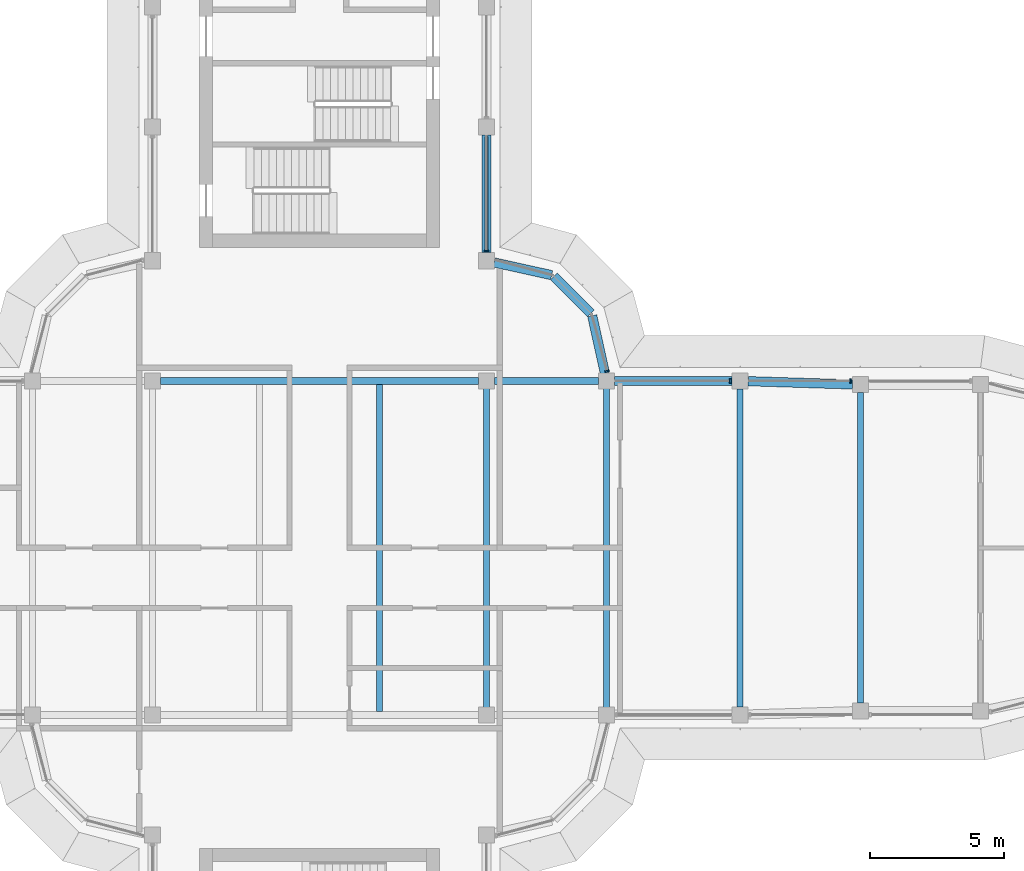
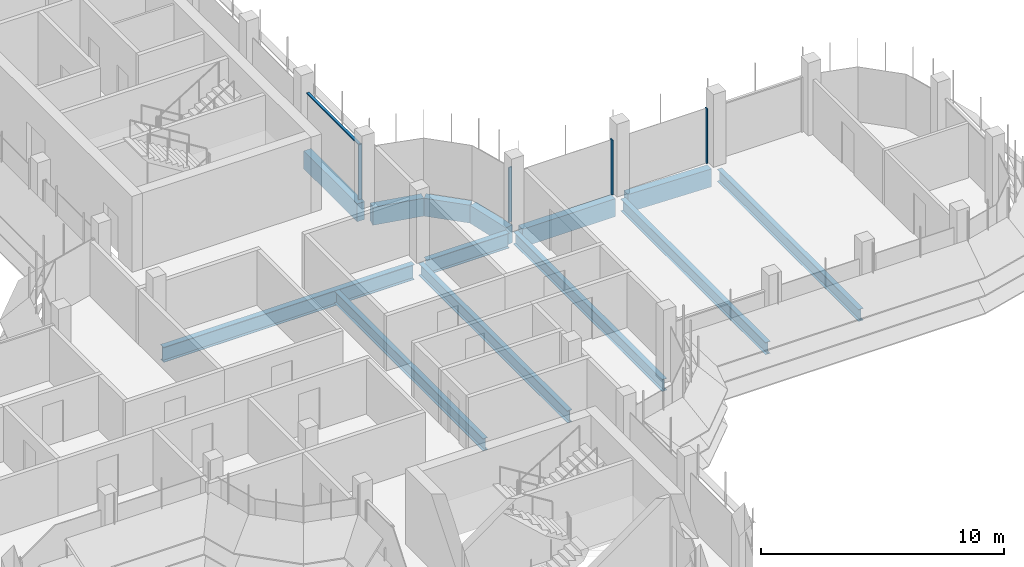
# One storey, part 8 of 19: 13 beams, 5 members, 3 elements without a shape of their own.
"""IFC4 building model written with IfcOpenShell, lengths in metres."""

import ifcopenshell
import ifcopenshell.guid

model = None  # the IFC model being written
_history = None  # IfcOwnerHistory: only IFC2X3 demands one
_inside = {}  # id of a spatial element -> (the spatial element, [elements in it])
_under = {}  # id of a project, library or spatial element -> (it, [spatial elements below it])
_declared = {}  # id of a project -> (the project, [libraries it declares])
_typed = {}  # id of a type object -> (the type object, [elements of that type])
_made_of = {}  # id of a material, layer set ... -> (it, [elements and type objects made of it])


def new_model(schema):
    """Start an empty IFC model of exactly this schema.

    Asked for "IFC4X3", IfcOpenShell would pick the latest addendum, in which some entities
    have other attributes; the version numbers below select the first issue.
    IFC2X3 requires an IfcOwnerHistory on every rooted entity: one is made here for all.
    """
    global model, _history
    if schema == "IFC4X3":
        model = ifcopenshell.file(schema_version=(4, 3, 0, 0))
    else:
        model = ifcopenshell.file(schema=schema)
    _inside.clear()
    _under.clear()
    _declared.clear()
    _typed.clear()
    _made_of.clear()
    _history = None
    if model.schema == "IFC2X3":
        org = make("IfcOrganization", Name="unknown")
        user = make(
            "IfcPersonAndOrganization",
            ThePerson=make("IfcPerson", FamilyName="unknown"),
            TheOrganization=org,
        )
        app = make(
            "IfcApplication",
            ApplicationDeveloper=org,
            Version="unknown",
            ApplicationFullName="unknown",
            ApplicationIdentifier="unknown",
        )
        _history = make(
            "IfcOwnerHistory",
            OwningUser=user,
            OwningApplication=app,
            ChangeAction="ADDED",
            CreationDate=0,
        )
    return model


def make(cls, **values):
    """One entity of the class cls with the attributes given. An attribute that is None is left unset."""
    return model.create_entity(
        cls, **{name: value for name, value in values.items() if value is not None}
    )


def rooted(cls, **values):
    """An entity with a GlobalId (a new one), such as an element, a storey or a relation."""
    return make(cls, GlobalId=ifcopenshell.guid.new(), OwnerHistory=_history, **values)


def si_unit(unit_type, name, prefix=None):
    """IfcSIUnit, for example si_unit("LENGTHUNIT", "METRE", prefix="MILLI")."""
    return make("IfcSIUnit", UnitType=unit_type, Prefix=prefix, Name=name)


def assignment(units):
    """IfcUnitAssignment: the units of a project."""
    return None if units is None else make("IfcUnitAssignment", Units=units)


def point(xyz):
    """IfcCartesianPoint."""
    return None if xyz is None else make("IfcCartesianPoint", Coordinates=xyz)


def direction(xyz):
    """IfcDirection."""
    return None if xyz is None else make("IfcDirection", DirectionRatios=xyz)


def frame(location, z_axis=None, x_axis=None):
    """IfcAxis2Placement3D, a coordinate frame: its origin and axes. An axis left out is left unset."""
    return make(
        "IfcAxis2Placement3D",
        Location=point(location),
        Axis=direction(z_axis),
        RefDirection=direction(x_axis),
    )


def frame_2d(location, x_axis=None):
    """IfcAxis2Placement2D, a coordinate frame in the plane: its origin and x axis."""
    return make(
        "IfcAxis2Placement2D", Location=point(location), RefDirection=direction(x_axis)
    )


def origin():
    """The frame at (0, 0, 0) with its axes left unset."""
    return frame((0.0, 0.0, 0.0))


def origin_2d():
    """The frame at (0, 0) in the plane with its x axis left unset."""
    return frame_2d((0.0, 0.0))


def place(relative_to, where):
    """IfcLocalPlacement: puts the frame where relative to a parent placement (None: the world)."""
    return make(
        "IfcLocalPlacement", PlacementRelTo=relative_to, RelativePlacement=where
    )


def context(
    kind, dimensions, precision=None, world=None, true_north=None, identifier=None
):
    """IfcGeometricRepresentationContext, for example the 3D "Model" context."""
    return make(
        "IfcGeometricRepresentationContext",
        ContextIdentifier=identifier,
        ContextType=kind,
        CoordinateSpaceDimension=dimensions,
        Precision=precision,
        WorldCoordinateSystem=world,
        TrueNorth=true_north,
    )


def subcontext(parent, identifier, kind, view, scale=None):
    """IfcGeometricRepresentationSubContext, for example "Body" below "Model"."""
    return make(
        "IfcGeometricRepresentationSubContext",
        ContextIdentifier=identifier,
        ContextType=kind,
        ParentContext=parent,
        TargetScale=scale,
        TargetView=view,
    )


def project(units=None, contexts=None):
    """IfcProject with its units and contexts."""
    return rooted(
        "IfcProject",
        Name="project",
        RepresentationContexts=contexts,
        UnitsInContext=assignment(units),
    )


def spatial(cls, under=None, at=None, **own):
    """A site, building, storey or space (cls), placed at a placement, below another one or the project."""
    s = rooted(cls, ObjectPlacement=at, **own)
    if under is not None:
        _under.setdefault(under.id(), (under, []))[1].append(s)
    return s


def polyline(points):
    """IfcPolyline through the points."""
    return make("IfcPolyline", Points=[point(p) for p in points])


def profile(cls, at=None, kind="AREA", **sizes):
    """A parametric profile (cls). Its sizes go by their IFC names, for example OverallWidth=200.0."""
    return make(cls, ProfileType=kind, Position=at, **sizes)


def rectangle(**sizes):
    """IfcRectangleProfileDef."""
    return profile("IfcRectangleProfileDef", **sizes)


def i_section(**sizes):
    """IfcIShapeProfileDef."""
    return profile("IfcIShapeProfileDef", **sizes)


def outline(outer, holes=None, kind="AREA"):
    """IfcArbitraryClosedProfileDef: a profile drawn as a closed curve; with holes, ...WithVoids."""
    if holes is None:
        return make("IfcArbitraryClosedProfileDef", ProfileType=kind, OuterCurve=outer)
    return make(
        "IfcArbitraryProfileDefWithVoids",
        ProfileType=kind,
        OuterCurve=outer,
        InnerCurves=holes,
    )


def extrude(swept, where, along, depth):
    """IfcExtrudedAreaSolid: the profile swept, set in the frame where, extruded along a direction by depth."""
    return make(
        "IfcExtrudedAreaSolid",
        SweptArea=swept,
        Position=where,
        ExtrudedDirection=direction(along),
        Depth=depth,
    )


def shape(context_of_items, identifier, shape_type, items):
    """IfcShapeRepresentation: the items that make up one representation, for example the "Body"."""
    return make(
        "IfcShapeRepresentation",
        ContextOfItems=context_of_items,
        RepresentationIdentifier=identifier,
        RepresentationType=shape_type,
        Items=items,
    )


def source(mapping_origin, context_of_items, identifier, shape_type, items):
    """IfcRepresentationMap: a shape defined once, which mapped items show again and again."""
    return make(
        "IfcRepresentationMap",
        MappingOrigin=mapping_origin,
        MappedRepresentation=shape(context_of_items, identifier, shape_type, items),
    )


def transform(
    local_origin,
    x_axis=None,
    y_axis=None,
    z_axis=None,
    scale=None,
    scale2=None,
    scale3=None,
    uniform=True,
):
    """IfcCartesianTransformationOperator3D, or its non-uniform kind. x_axis, y_axis, z_axis: its Axis1, 2, 3."""
    if uniform:
        return make(
            "IfcCartesianTransformationOperator3D",
            Axis1=direction(x_axis),
            Axis2=direction(y_axis),
            LocalOrigin=point(local_origin),
            Scale=scale,
            Axis3=direction(z_axis),
        )
    return make(
        "IfcCartesianTransformationOperator3DnonUniform",
        Axis1=direction(x_axis),
        Axis2=direction(y_axis),
        LocalOrigin=point(local_origin),
        Scale=scale,
        Axis3=direction(z_axis),
        Scale2=scale2,
        Scale3=scale3,
    )


def mapped(mapping_source, mapping_target):
    """IfcMappedItem: shows the shape of a source again, moved by a transform."""
    return make(
        "IfcMappedItem", MappingSource=mapping_source, MappingTarget=mapping_target
    )


def material(Name=None, Category=None):
    """IfcMaterial."""
    return make("IfcMaterial", Name=Name, Category=Category)


def material_profile(
    of_material, cross_section, Name=None, Category=None, Priority=None
):
    """IfcMaterialProfile: a cross section and its material."""
    return make(
        "IfcMaterialProfile",
        Name=Name,
        Material=of_material,
        Profile=cross_section,
        Priority=Priority,
        Category=Category,
    )


def profile_set(profiles, Name=None, composite=None):
    """IfcMaterialProfileSet."""
    return make(
        "IfcMaterialProfileSet",
        Name=Name,
        MaterialProfiles=profiles,
        CompositeProfile=composite,
    )


def made_of(thing, what):
    """Note that an element or type object is made of a material, layer set ...; save() writes the relation."""
    if what is not None:
        _made_of.setdefault(what.id(), (what, []))[1].append(thing)
    return thing


def type_object(cls, material=None, **own):
    """A type object (cls), such as IfcWallType, which elements share."""
    return made_of(rooted(cls, **own), material)


def element(
    cls,
    number,
    at=None,
    inside=None,
    cuts=None,
    type_object=None,
    material=None,
    context=None,
    identifier="Body",
    shape_type=None,
    held_by="IfcProductDefinitionShape",
    body=None,
    shapes=None,
    **own,
):
    """One element of the class cls, such as IfcWall. Its Tag is "e" and its number.

    at: its placement. inside: the storey or other place that contains it. cuts: it is an
    opening in that element (IfcRelVoidsElement). A single representation is given by context,
    identifier, shape_type and body (its items); several are given by shapes. held_by: the class
    of the entity that holds the representations. save() writes the other relations.
    """
    e = rooted(cls, Tag="e%d" % number, ObjectPlacement=at, **own)
    if body is not None:
        shapes = [shape(context, identifier, shape_type, body)]
    if shapes is not None:
        e.Representation = make(held_by, Representations=shapes)
    if inside is not None:
        _inside.setdefault(inside.id(), (inside, []))[1].append(e)
    if cuts is not None:
        rooted(
            "IfcRelVoidsElement", RelatingBuildingElement=cuts, RelatedOpeningElement=e
        )
    if type_object is not None:
        _typed.setdefault(type_object.id(), (type_object, []))[1].append(e)
    return made_of(e, material)


def aggregate(whole, parts):
    """IfcRelAggregates: a whole, such as a stair, and the parts it consists of."""
    return rooted("IfcRelAggregates", RelatingObject=whole, RelatedObjects=parts)


def save(model, path):
    """Write the relations noted so far, then the file.

    IfcRelAggregates (storeys below a building ...), IfcRelContainedInSpatialStructure (elements
    in a storey), IfcRelDefinesByType, IfcRelAssociatesMaterial and IfcRelDeclares: one each for
    every whole, place, type object, material and project.
    """
    for whole, parts in _under.values():
        aggregate(whole, parts)
    for where, things in _inside.values():
        rooted(
            "IfcRelContainedInSpatialStructure",
            RelatedElements=things,
            RelatingStructure=where,
        )
    for kind, things in _typed.values():
        rooted("IfcRelDefinesByType", RelatedObjects=things, RelatingType=kind)
    for what, things in _made_of.values():
        rooted("IfcRelAssociatesMaterial", RelatedObjects=things, RelatingMaterial=what)
    for by, libraries in _declared.values():
        rooted("IfcRelDeclares", RelatingContext=by, RelatedDefinitions=libraries)
    model.write(path)


model = new_model("IFC4")

# Units and contexts
model_context = context("Model", 3, precision=1e-05, world=origin(), true_north=direction((0.0, 1.0)))
body_context = subcontext(model_context, "Body", "Model", "MODEL_VIEW")
ifc_project = project(units=[si_unit("LENGTHUNIT", "METRE"), si_unit("AREAUNIT", "SQUARE_METRE"), si_unit("VOLUMEUNIT", "CUBIC_METRE"), si_unit("PLANEANGLEUNIT", "RADIAN"), si_unit("MASSUNIT", "GRAM", prefix="KILO")], contexts=[model_context])

# Site, building, storey
site_placement = place(None, origin())
site = spatial("IfcSite", under=ifc_project, at=site_placement, CompositionType="ELEMENT")
building_placement = place(site_placement, origin())
building = spatial("IfcBuilding", under=site, at=building_placement, Name="Zarbagh Exchange Tower", CompositionType="ELEMENT")
storey_placement = place(building_placement, frame((0.0, 0.0, 276.39990234375)))
storey = spatial("IfcBuildingStorey", under=building, at=storey_placement, Name="L68", CompositionType="ELEMENT", Elevation=276.39990234375)

# Beams
ifc_material_1 = material(Name="Steel ASTM A992 Gr 50", Category="steel")
ifc_material_profile_1 = material_profile(ifc_material_1, i_section(OverallWidth=0.228271484375, OverallDepth=0.607177734375, WebThickness=0.01123046875, FlangeThickness=0.017333984375, at=origin_2d()), Name="W24X76")
ifc_profile_set_1 = profile_set([ifc_material_profile_1], Name="Steel ASTM A992 Gr 50")
beam_type_1 = type_object("IfcBeamType", Name="Floor beam W24X76", PredefinedType="BEAM", material=ifc_profile_set_1)
for number, where, z_axis, x_axis, name in (
    (1, (2.25, -6.11669921875, -0.453369140625), (0.0, 1.0, 0.0), (-1.0, 0.0, 0.0), "Steel floor beam"),
    (2, (6.25, -6.11669921875, -0.453369140625), (0.0, 1.0, 0.0), (-1.0, 0.0, 0.0), "Steel floor beam"),
    (3, (10.75, -6.11669921875, -0.453369140625), (0.0, 1.0, 0.0), (-1.0, 0.0, 0.0), "Steel floor beam"),
):
    element("IfcBeam", number, at=place(storey_placement, frame(where, z_axis=z_axis, x_axis=x_axis)), inside=storey, type_object=beam_type_1, Name=name, PredefinedType="BEAM", context=body_context, shape_type="SweptSolid", body=[
        extrude(i_section(OverallWidth=0.228271484375, OverallDepth=0.607177734375, WebThickness=0.01123046875, FlangeThickness=0.017333984375, at=origin_2d()), origin(), (0.0, 0.0, 1.0), 12.2333984375),
    ])
beam_1_placement = place(storey_placement, frame((15.75, -5.949951171875, -0.453369140625), z_axis=(0.0, 1.0, 0.0), x_axis=(-1.0, 0.0, 0.0)))
element("IfcBeam", 4, at=beam_1_placement, inside=storey, type_object=beam_type_1, Name="Steel floor beam", PredefinedType="BEAM", context=body_context, shape_type="SweptSolid", body=[
    extrude(i_section(OverallWidth=0.228271484375, OverallDepth=0.607177734375, WebThickness=0.01123046875, FlangeThickness=0.017333984375, at=origin_2d()), origin(), (0.0, 0.0, 1.0), 11.89990234375),
])
beam_2_placement = place(storey_placement, frame((20.25, -5.81005859375, -0.453369140625), z_axis=(0.0, 1.0, 0.0), x_axis=(-1.0, 0.0, 0.0)))
element("IfcBeam", 5, at=beam_2_placement, inside=storey, type_object=beam_type_1, Name="Steel floor beam", PredefinedType="BEAM", context=body_context, shape_type="SweptSolid", body=[
    extrude(i_section(OverallWidth=0.228271484375, OverallDepth=0.607177734375, WebThickness=0.01123046875, FlangeThickness=0.017333984375, at=origin_2d()), origin(), (0.0, 0.0, 1.0), 11.6201171875),
])
ifc_material_profile_2 = material_profile(ifc_material_1, i_section(OverallWidth=0.2666015625, OverallDepth=0.7568359375, WebThickness=0.013916015625, FlangeThickness=0.019287109375, at=origin_2d()), Name="W30X108")
ifc_profile_set_2 = profile_set([ifc_material_profile_2], Name="Steel ASTM A992 Gr 50")
beam_type_2 = type_object("IfcBeamType", Name="Floor girder W30X108", PredefinedType="BEAM", material=ifc_profile_set_2)
beam_3_placement = place(storey_placement, frame((-5.949951171875, 6.25, -0.5283203125), z_axis=(1.0, 0.0, 0.0), x_axis=(0.0, 1.0, 0.0)))
element("IfcBeam", 6, at=beam_3_placement, inside=storey, type_object=beam_type_2, Name="Steel girder", PredefinedType="BEAM", context=body_context, shape_type="SweptSolid", body=[
    extrude(i_section(OverallWidth=0.2666015625, OverallDepth=0.7568359375, WebThickness=0.013916015625, FlangeThickness=0.019287109375, at=origin_2d()), origin(), (0.0, 0.0, 1.0), 11.89990234375),
])
beam_4_placement = place(storey_placement, frame((6.550048828125, 6.25, -0.5283203125), z_axis=(1.0, 0.0, 0.0), x_axis=(0.0, 1.0, 0.0)))
element("IfcBeam", 7, at=beam_4_placement, inside=storey, type_object=beam_type_2, Name="Steel girder", PredefinedType="BEAM", context=body_context, shape_type="SweptSolid", body=[
    extrude(i_section(OverallWidth=0.2666015625, OverallDepth=0.7568359375, WebThickness=0.013916015625, FlangeThickness=0.019287109375, at=origin_2d()), origin(), (0.0, 0.0, 1.0), 3.89990234375),
])
ifc_material_2 = material(Name="Concrete C40/50", Category="concrete")
ifc_material_profile_3 = material_profile(ifc_material_2, rectangle(XDim=0.35009765625, YDim=0.89990234375, at=origin_2d()), Name="RC spandrel beam 350 x 900 C40/50")
ifc_profile_set_3 = profile_set([ifc_material_profile_3], Name="Concrete C40/50")
beam_type_3 = type_object("IfcBeamType", Name="RC spandrel beam 350 x 900 C40/50", PredefinedType="SPANDREL", material=ifc_profile_set_3)
beam_5_placement = place(storey_placement, frame((6.25, 15.449951171875, -0.599853515625), z_axis=(0.0, -1.0, 0.0), x_axis=(1.0, 0.0, 0.0)))
element("IfcBeam", 8, at=beam_5_placement, inside=storey, type_object=beam_type_3, Name="RC spandrel beam", PredefinedType="SPANDREL", context=body_context, shape_type="SweptSolid", body=[
    extrude(rectangle(XDim=0.35009765625, YDim=0.89990234375, at=origin_2d()), origin(), (0.0, 0.0, 1.0), 4.39990234375),
])
beam_6_placement = place(storey_placement, frame((6.54296875, 10.685302734375, -0.599853515625), z_axis=(0.976387662047, -0.216025770228, 0.0), x_axis=(0.216025770228, 0.976387662047, 0.0)))
element("IfcBeam", 9, at=beam_6_placement, inside=storey, type_object=beam_type_3, Name="RC spandrel beam", PredefinedType="SPANDREL", context=body_context, shape_type="SweptSolid", body=[
    extrude(rectangle(XDim=0.35009765625, YDim=0.89990234375, at=origin_2d()), origin(), (0.0, 0.0, 1.0), 2.200439453125),
])
beam_7_placement = place(storey_placement, frame((8.77734375, 10.16259765625, -0.599853515625), z_axis=(0.707106781187, -0.707106781187, 0.0), x_axis=(0.707106781187, 0.707106781187, 0.0)))
element("IfcBeam", 10, at=beam_7_placement, inside=storey, type_object=beam_type_3, Name="RC spandrel beam", PredefinedType="SPANDREL", context=body_context, shape_type="SweptSolid", body=[
    extrude(rectangle(XDim=0.35009765625, YDim=0.89990234375, at=origin_2d()), origin(), (0.0, 0.0, 1.0), 1.958984375),
])
beam_8_placement = place(storey_placement, frame((10.2099609375, 8.69140625, -0.599853515625), z_axis=(0.216025770228, -0.976387662047, 0.0), x_axis=(0.976387662047, 0.216025770228, 0.0)))
element("IfcBeam", 11, at=beam_8_placement, inside=storey, type_object=beam_type_3, Name="RC spandrel beam", PredefinedType="SPANDREL", context=body_context, shape_type="SweptSolid", body=[
    extrude(rectangle(XDim=0.35009765625, YDim=0.89990234375, at=origin_2d()), origin(), (0.0, 0.0, 1.0), 2.200439453125),
])
beam_9_placement = place(storey_placement, frame((11.050048828125, 6.25, -0.599853515625), z_axis=(1.0, 0.0, 0.0), x_axis=(0.0, 1.0, 0.0)))
element("IfcBeam", 12, at=beam_9_placement, inside=storey, type_object=beam_type_3, Name="RC spandrel beam", PredefinedType="SPANDREL", context=body_context, shape_type="SweptSolid", body=[
    extrude(rectangle(XDim=0.35009765625, YDim=0.89990234375, at=origin_2d()), origin(), (0.0, 0.0, 1.0), 4.39990234375),
])
beam_10_placement = place(storey_placement, frame((16.0498046875, 6.24072265625, -0.599853515625), z_axis=(0.999516460907, -0.031094121249, 0.0), x_axis=(0.031094121249, 0.999516460907, 0.0)))
element("IfcBeam", 13, at=beam_10_placement, inside=storey, type_object=beam_type_3, Name="RC spandrel beam", PredefinedType="SPANDREL", context=body_context, shape_type="SweptSolid", body=[
    extrude(rectangle(XDim=0.35009765625, YDim=0.89990234375, at=origin_2d()), origin(), (0.0, 0.0, 1.0), 3.90234375),
])

# Curtain wall, members
ifc_material_3 = material(Name="Anodised aluminium frame and glazing", Category="aluminium")
curtain_wall_type = type_object("IfcCurtainWallType", Name="CWB Ribbon glazing, upper zones", PredefinedType="NOTDEFINED", material=ifc_material_3)
curtain_wall_1_placement = place(storey_placement, origin())
curtain_wall_1 = element("IfcCurtainWall", 14, at=curtain_wall_1_placement, inside=storey, type_object=curtain_wall_type, Name="CWB82 curtain wall", PredefinedType="NOTDEFINED")
ifc_material_4 = material(Name="Anodised aluminium frame", Category="aluminium")
member_type_1 = type_object("IfcMemberType", Name="MUB Mullion, anodised aluminium frame", PredefinedType="MULLION", material=ifc_material_4)
shared_shape_1 = source(origin(), body_context, "Body", "SweptSolid", [
    extrude(outline(polyline([(0.0, -0.080078125), (0.06005859375, -0.080078125), (0.06005859375, 0.080078125), (0.0, 0.080078125), (0.0, -0.080078125)])), origin(), (0.0, 0.0, 1.0), 2.75),
])
placement = place(storey_placement, origin())
member_1 = element("IfcMember", 15, at=placement, type_object=member_type_1, Name="CWB82 mullion 2.1", PredefinedType="MULLION", context=body_context, shape_type="MappedRepresentation", body=[
    mapped(shared_shape_1, transform((19.909912109375, 6.25, 0.0), x_axis=(-1.0, 0.0, 0.0), y_axis=(0.0, -1.0, 0.0), z_axis=(0.0, 0.0, 1.0))),
])
member_2 = element("IfcMember", 16, at=placement, type_object=member_type_1, Name="CWB82 mullion 3.1", PredefinedType="MULLION", context=body_context, shape_type="MappedRepresentation", body=[
    mapped(shared_shape_1, transform((15.409912109375, 6.25, 0.0), x_axis=(-1.0, 0.0, 0.0), y_axis=(0.0, -1.0, 0.0), z_axis=(0.0, 0.0, 1.0))),
])
aggregate(curtain_wall_1, [member_1, member_2])

# Curtain wall, member
curtain_wall_2_placement = place(storey_placement, origin())
curtain_wall_2 = element("IfcCurtainWall", 17, at=curtain_wall_2_placement, inside=storey, type_object=curtain_wall_type, Name="CWB17 curtain wall", PredefinedType="NOTDEFINED")
member_3 = element("IfcMember", 18, at=placement, type_object=member_type_1, Name="CWB17 mullion 1.1", PredefinedType="MULLION", context=body_context, shape_type="MappedRepresentation", body=[
    mapped(shared_shape_1, transform((10.775146484375, 6.590087890625, 0.0), x_axis=(-0.258824779902, 0.965924289636, 0.0), y_axis=(-0.965924289636, -0.258824779902, 0.0), z_axis=(0.0, 0.0, 1.0))),
])
aggregate(curtain_wall_2, [member_3])

# Curtain wall, members
curtain_wall_3_placement = place(storey_placement, origin())
curtain_wall_3 = element("IfcCurtainWall", 19, at=curtain_wall_3_placement, inside=storey, type_object=curtain_wall_type, Name="CWB67 curtain wall", PredefinedType="NOTDEFINED")
member_4 = element("IfcMember", 20, at=placement, type_object=member_type_1, Name="CWB67 mullion 1.1", PredefinedType="MULLION", context=body_context, shape_type="MappedRepresentation", body=[
    mapped(shared_shape_1, transform((6.25, 11.090087890625, 0.0), x_axis=(0.0, 1.0, 0.0), y_axis=(-1.0, 0.0, 0.0), z_axis=(0.0, 0.0, 1.0))),
])
member_type_2 = type_object("IfcMemberType", Name="TRB Transom, anodised aluminium frame", PredefinedType="USERDEFINED", material=ifc_material_4)
shared_shape_2 = source(origin(), body_context, "Body", "SweptSolid", [
    extrude(outline(polyline([(-0.06005859375, -0.06005859375), (0.0, -0.06005859375), (0.0, 0.06005859375), (-0.06005859375, 0.06005859375), (-0.06005859375, -0.06005859375)])), origin(), (0.0, 0.0, 1.0), 4.260009765625),
])
member_5 = element("IfcMember", 21, at=placement, type_object=member_type_2, Name="CWB67 transom 1.1", ObjectType="TRANSOM", PredefinedType="USERDEFINED", context=body_context, shape_type="MappedRepresentation", body=[
    mapped(shared_shape_2, transform((6.25, 11.150146484375, 2.75), x_axis=(0.0, 0.0, 1.0), y_axis=(1.0, 0.0, 0.0), z_axis=(0.0, 1.0, 0.0))),
])
aggregate(curtain_wall_3, [member_4, member_5])

save(model, "model.ifc")
